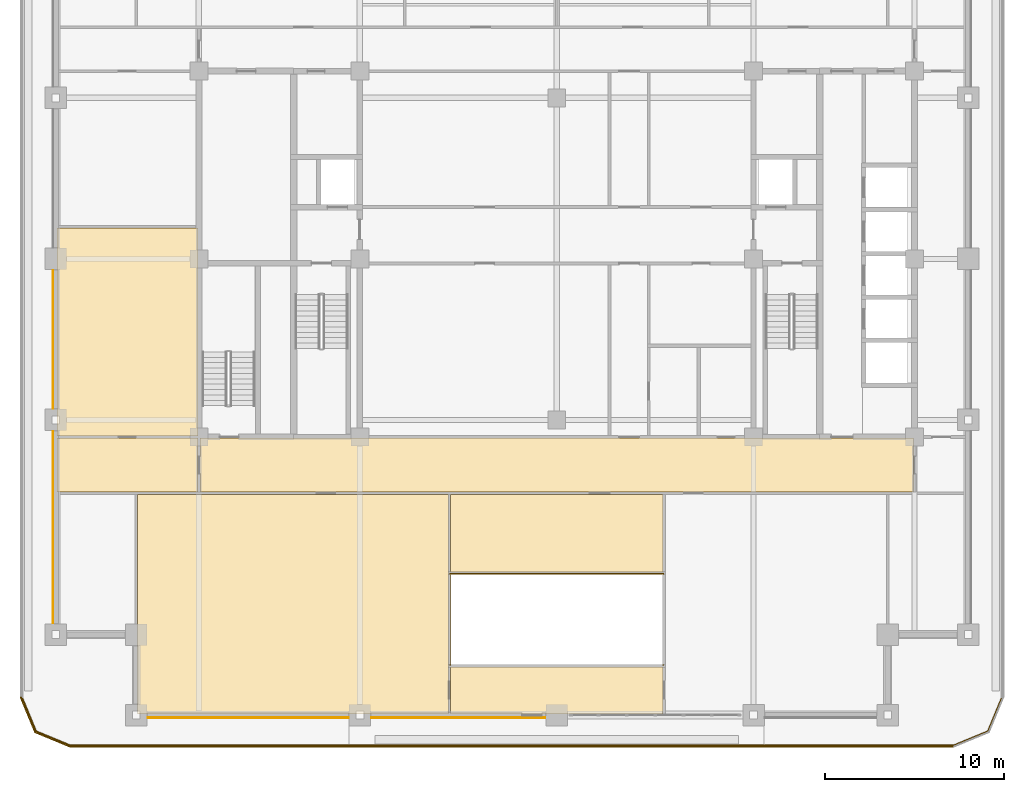
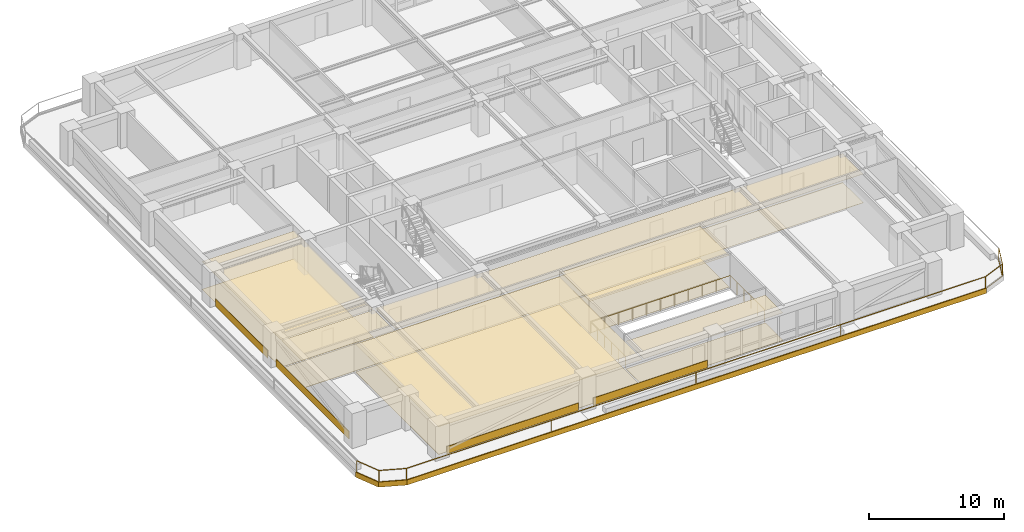
# One storey, part 12 of 17: 19 coverings, 2 railings.
"""IFC4 building model written with IfcOpenShell, lengths in metres."""

from ifc_helpers import new_model, si_unit, direction, frame, frame_2d, origin, origin_2d, place, context, subcontext, project, spatial, polyline, rectangle, outline, extrude, material, layer, layer_set, type_object, element, save


model = new_model("IFC4")

# Units and contexts
model_context = context("Model", 3, precision=1e-05, world=origin(), true_north=direction((0.0, 1.0)))
body_context = subcontext(model_context, "Body", "Model", "MODEL_VIEW")
ifc_project = project(units=[si_unit("LENGTHUNIT", "METRE"), si_unit("AREAUNIT", "SQUARE_METRE"), si_unit("VOLUMEUNIT", "CUBIC_METRE"), si_unit("PLANEANGLEUNIT", "RADIAN"), si_unit("MASSUNIT", "GRAM", prefix="KILO")], contexts=[model_context])

# Site, building, storey
site_placement = place(None, origin())
site = spatial("IfcSite", under=ifc_project, at=site_placement, CompositionType="ELEMENT")
building_placement = place(site_placement, origin())
building = spatial("IfcBuilding", under=site, at=building_placement, Name="Zulmaris Gate Convention Tower", CompositionType="ELEMENT")
storey_placement = place(building_placement, frame((0.0, 0.0, 149.909912109375)))
storey = spatial("IfcBuildingStorey", under=building, at=storey_placement, Name="L38", CompositionType="ELEMENT", Elevation=149.909912109375)

# Coverings
ifc_material_1 = material(Name="Precast concrete C40/50", Category="concrete")
ifc_layer_1 = layer(ifc_material_1, 0.0400390625, Name="Precast concrete C40/50")
ifc_layer_set_1 = layer_set([ifc_layer_1], Name="Precast concrete C40/50")
covering_type_1 = type_object("IfcCoveringType", Name="CLAD-SPANDREL-PRECAST", PredefinedType="CLADDING", material=ifc_layer_set_1)
covering_1_placement = place(storey_placement, frame((-22.8701171875, -25.64990234375, 0.0), z_axis=(0.0, 0.0, 1.0), x_axis=(1.0, 0.0, 0.0)))
element("IfcCovering", 1, at=covering_1_placement, inside=storey, type_object=covering_type_1, Name="CLD-L38-S-0_0", PredefinedType="CLADDING", context=body_context, shape_type="SweptSolid", body=[
    extrude(rectangle(XDim=11.240234375, YDim=0.0400390625, at=frame_2d((5.6201171875, 0.0))), origin(), (0.0, 0.0, 1.0), 0.679931640625),
])
covering_2_placement = place(storey_placement, frame((-10.3701171875, -25.64990234375, 0.0), z_axis=(0.0, 0.0, 1.0), x_axis=(1.0, 0.0, 0.0)))
element("IfcCovering", 2, at=covering_2_placement, inside=storey, type_object=covering_type_1, Name="CLD-L38-S-1_0", PredefinedType="CLADDING", context=body_context, shape_type="SweptSolid", body=[
    extrude(rectangle(XDim=9.740234375, YDim=0.0400390625, at=frame_2d((4.8701171875, 0.0))), origin(), (0.0, 0.0, 1.0), 0.679931640625),
])
covering_3_placement = place(storey_placement, frame((-28.14990234375, -9.6298828125, 0.0), z_axis=(0.0, 0.0, 1.0), x_axis=(0.0, -1.0, 0.0)))
element("IfcCovering", 3, at=covering_3_placement, inside=storey, type_object=covering_type_1, Name="CLD-L38-W-0_0", PredefinedType="CLADDING", context=body_context, shape_type="SweptSolid", body=[
    extrude(rectangle(XDim=10.740234375, YDim=0.0400390625, at=frame_2d((5.3701171875, 0.0))), origin(), (0.0, 0.0, 1.0), 0.679931640625),
])
covering_4_placement = place(storey_placement, frame((-28.14990234375, -0.6298828125, 0.0), z_axis=(0.0, 0.0, 1.0), x_axis=(0.0, -1.0, 0.0)))
element("IfcCovering", 4, at=covering_4_placement, inside=storey, type_object=covering_type_1, Name="CLD-L38-W-1_0", PredefinedType="CLADDING", context=body_context, shape_type="SweptSolid", body=[
    extrude(rectangle(XDim=7.740234375, YDim=0.0400390625, at=frame_2d((3.8701171875, 0.0))), origin(), (0.0, 0.0, 1.0), 0.679931640625),
])
ifc_material_2 = material(Name="White Glazed Architectural Precast Concrete C40/50", Category="concrete")
ifc_layer_2 = layer(ifc_material_2, 0.080078125, Name="White Glazed Architectural Precast Concrete C40/50")
ifc_layer_set_2 = layer_set([ifc_layer_2], Name="White Glazed Architectural Precast Concrete C40/50")
covering_type_2 = type_object("IfcCoveringType", Name="CLAD-TRAY-FASCIA", PredefinedType="CLADDING", material=ifc_layer_set_2)
covering_5_placement = place(storey_placement, frame((-29.962890625, -24.484619140625, -0.2900390625), z_axis=(0.0, 0.0, 1.0), x_axis=(0.382656984709, -0.923890487046, 0.0)))
element("IfcCovering", 5, at=covering_5_placement, inside=storey, type_object=covering_type_2, Name="FSC-L38-TR-00", PredefinedType="CLADDING", context=body_context, shape_type="SweptSolid", body=[
    extrude(rectangle(XDim=2.14306640625, YDim=0.080078125, at=frame_2d((1.071533203125, 0.0))), origin(), (0.0, 0.0, 1.0), 0.4599609375),
])
covering_6_placement = place(storey_placement, frame((-29.16455078125, -26.44287109375, -0.2900390625), z_axis=(0.0, 0.0, 1.0), x_axis=(0.923873803533, -0.382697263049, 0.0)))
element("IfcCovering", 6, at=covering_6_placement, inside=storey, type_object=covering_type_2, Name="FSC-L38-TR-01", PredefinedType="CLADDING", context=body_context, shape_type="SweptSolid", body=[
    extrude(rectangle(XDim=2.142822265625, YDim=0.080078125, at=frame_2d((1.0712890625, 0.0))), origin(), (0.0, 0.0, 1.0), 0.4599609375),
])
covering_7_placement = place(storey_placement, frame((-27.199951171875, -27.260009765625, -0.2900390625), z_axis=(0.0, 0.0, 1.0), x_axis=(1.0, 0.0, 0.0)))
element("IfcCovering", 7, at=covering_7_placement, inside=storey, type_object=covering_type_2, Name="FSC-L38-TR-02", PredefinedType="CLADDING", context=body_context, shape_type="SweptSolid", body=[
    extrude(rectangle(XDim=49.39990234375, YDim=0.080078125, at=frame_2d((24.699951171875, 0.0))), origin(), (0.0, 0.0, 1.0), 0.4599609375),
])
ifc_material_3 = material(Name="Mineral Fibre Acoustic Ceiling Tile")
ifc_layer_3 = layer(ifc_material_3, 0.02001953125, Name="Mineral Fibre Acoustic Ceiling Tile")
ifc_layer_set_3 = layer_set([ifc_layer_3], Name="Mineral Fibre Acoustic Ceiling Tile")
covering_type_3 = type_object("IfcCoveringType", Name="CLG-ACOUSTIC-600", PredefinedType="CEILING", material=ifc_layer_set_3)
covering_8_placement = place(storey_placement, frame((0.0, 0.0, 2.60302734375)))
element("IfcCovering", 8, at=covering_8_placement, inside=storey, type_object=covering_type_3, Name="CLG-L38-R26", PredefinedType="CEILING", context=body_context, shape_type="SweptSolid", body=[
    extrude(outline(polyline([(-19.93994140625, -13.0400390625), (19.93994140625, -13.0400390625), (19.93994140625, -10.010009765625), (-19.93994140625, -10.010009765625), (-19.93994140625, -13.0400390625)])), origin(), (0.0, 0.0, 1.0), 0.02001953125),
])
covering_9_placement = place(storey_placement, frame((0.0, 0.0, 2.505126953125)))
element("IfcCovering", 9, at=covering_9_placement, inside=storey, type_object=covering_type_3, Name="CLG-L38-R34", PredefinedType="CEILING", context=body_context, shape_type="SweptSolid", body=[
    extrude(outline(polyline([(-5.93994140625, -25.43994140625), (5.93994140625, -25.43994140625), (5.93994140625, -22.81005859375), (-5.93994140625, -22.81005859375), (-5.93994140625, -25.43994140625)])), origin(), (0.0, 0.0, 1.0), 0.02001953125),
])
covering_10_placement = place(storey_placement, frame((0.0, 0.0, 2.864990234375)))
element("IfcCovering", 10, at=covering_10_placement, inside=storey, type_object=covering_type_3, Name="CLG-L38-R35", PredefinedType="CEILING", context=body_context, shape_type="SweptSolid", body=[
    extrude(outline(polyline([(-5.93994140625, -17.489990234375), (5.93994140625, -17.489990234375), (5.93994140625, -13.159912109375), (-5.93994140625, -13.159912109375), (-5.93994140625, -17.489990234375)])), origin(), (0.0, 0.0, 1.0), 0.02001953125),
])
covering_11_placement = place(storey_placement, frame((0.0, 0.0, 2.505126953125)))
element("IfcCovering", 11, at=covering_11_placement, inside=storey, type_object=covering_type_3, Name="CLG-L38-R36", PredefinedType="CEILING", context=body_context, shape_type="SweptSolid", body=[
    extrude(outline(polyline([(-23.43994140625, -25.43994140625), (-6.06005859375, -25.43994140625), (-6.06005859375, -13.159912109375), (-23.43994140625, -13.159912109375), (-23.43994140625, -25.43994140625)])), origin(), (0.0, 0.0, 1.0), 0.02001953125),
])
covering_12_placement = place(storey_placement, frame((0.0, 0.0, 2.505126953125)))
element("IfcCovering", 12, at=covering_12_placement, inside=storey, type_object=covering_type_3, Name="CLG-L38-R45", PredefinedType="CEILING", context=body_context, shape_type="SweptSolid", body=[
    extrude(outline(polyline([(-27.93994140625, -13.0400390625), (-20.06005859375, -13.0400390625), (-20.06005859375, -10.010009765625), (-27.93994140625, -10.010009765625), (-27.93994140625, -13.0400390625)])), origin(), (0.0, 0.0, 1.0), 0.02001953125),
])
covering_13_placement = place(storey_placement, frame((0.0, 0.0, 2.505126953125)))
element("IfcCovering", 13, at=covering_13_placement, inside=storey, type_object=covering_type_3, Name="CLG-L38-R47", PredefinedType="CEILING", context=body_context, shape_type="SweptSolid", body=[
    extrude(outline(polyline([(-27.93994140625, -9.889892578125), (-20.06005859375, -9.889892578125), (-20.06005859375, 1.739990234375), (-27.93994140625, 1.739990234375), (-27.93994140625, -9.889892578125)])), origin(), (0.0, 0.0, 1.0), 0.02001953125),
])
ifc_material_4 = material(Name="Woven Acoustic Wool Carpet Tile")
ifc_layer_4 = layer(ifc_material_4, 0.02001953125, Name="Woven Acoustic Wool Carpet Tile")
ifc_layer_set_4 = layer_set([ifc_layer_4], Name="Woven Acoustic Wool Carpet Tile")
covering_type_4 = type_object("IfcCoveringType", Name="FLR-CARPET-12", PredefinedType="FLOORING", material=ifc_layer_set_4)
covering_14_placement = place(storey_placement, origin())
element("IfcCovering", 14, at=covering_14_placement, inside=storey, type_object=covering_type_4, Name="FLR-L38-R26", PredefinedType="FLOORING", context=body_context, shape_type="SweptSolid", body=[
    extrude(outline(polyline([(-19.93994140625, -13.0400390625), (19.93994140625, -13.0400390625), (19.93994140625, -10.010009765625), (-19.93994140625, -10.010009765625), (-19.93994140625, -13.0400390625)])), origin(), (0.0, 0.0, 1.0), 0.02001953125),
])
covering_15_placement = place(storey_placement, origin())
element("IfcCovering", 15, at=covering_15_placement, inside=storey, type_object=covering_type_4, Name="FLR-L38-R36", PredefinedType="FLOORING", context=body_context, shape_type="SweptSolid", body=[
    extrude(outline(polyline([(-23.43994140625, -25.43994140625), (-6.06005859375, -25.43994140625), (-6.06005859375, -13.159912109375), (-23.43994140625, -13.159912109375), (-23.43994140625, -25.43994140625)])), origin(), (0.0, 0.0, 1.0), 0.02001953125),
])
covering_16_placement = place(storey_placement, origin())
element("IfcCovering", 16, at=covering_16_placement, inside=storey, type_object=covering_type_4, Name="FLR-L38-R45", PredefinedType="FLOORING", context=body_context, shape_type="SweptSolid", body=[
    extrude(outline(polyline([(-27.93994140625, -13.0400390625), (-20.06005859375, -13.0400390625), (-20.06005859375, -10.010009765625), (-27.93994140625, -10.010009765625), (-27.93994140625, -13.0400390625)])), origin(), (0.0, 0.0, 1.0), 0.02001953125),
])
covering_17_placement = place(storey_placement, origin())
element("IfcCovering", 17, at=covering_17_placement, inside=storey, type_object=covering_type_4, Name="FLR-L38-R47", PredefinedType="FLOORING", context=body_context, shape_type="SweptSolid", body=[
    extrude(outline(polyline([(-27.93994140625, -9.889892578125), (-20.06005859375, -9.889892578125), (-20.06005859375, 1.739990234375), (-27.93994140625, 1.739990234375), (-27.93994140625, -9.889892578125)])), origin(), (0.0, 0.0, 1.0), 0.02001953125),
])
ifc_material_5 = material(Name="Engineered Teak Parquet Flooring")
ifc_layer_5 = layer(ifc_material_5, 0.02001953125, Name="Engineered Teak Parquet Flooring")
ifc_layer_set_5 = layer_set([ifc_layer_5], Name="Engineered Teak Parquet Flooring")
covering_type_5 = type_object("IfcCoveringType", Name="FLR-TIMBER-18", PredefinedType="FLOORING", material=ifc_layer_set_5)
covering_18_placement = place(storey_placement, origin())
element("IfcCovering", 18, at=covering_18_placement, inside=storey, type_object=covering_type_5, Name="FLR-L38-R34", PredefinedType="FLOORING", context=body_context, shape_type="SweptSolid", body=[
    extrude(outline(polyline([(-5.93994140625, -25.43994140625), (5.93994140625, -25.43994140625), (5.93994140625, -22.81005859375), (-5.93994140625, -22.81005859375), (-5.93994140625, -25.43994140625)])), origin(), (0.0, 0.0, 1.0), 0.02001953125),
])
covering_19_placement = place(storey_placement, origin())
element("IfcCovering", 19, at=covering_19_placement, inside=storey, type_object=covering_type_5, Name="FLR-L38-R35", PredefinedType="FLOORING", context=body_context, shape_type="SweptSolid", body=[
    extrude(outline(polyline([(-5.93994140625, -17.489990234375), (5.93994140625, -17.489990234375), (5.93994140625, -13.159912109375), (-5.93994140625, -13.159912109375), (-5.93994140625, -17.489990234375)])), origin(), (0.0, 0.0, 1.0), 0.02001953125),
])

# Railings
ifc_material_6 = material(Name="Laminated Glass and Stainless Steel", Category="steel")
railing_type_1 = type_object("IfcRailingType", Name="RL-BALC-1150", PredefinedType="BALUSTRADE", material=ifc_material_6)
railing_1_placement = place(storey_placement, frame((-29.8798828125, -24.5, 0.010009765625)))
element("IfcRailing", 20, at=railing_1_placement, inside=storey, type_object=railing_type_1, Name="RL-L38-BALC-S", PredefinedType="BALUSTRADE", context=body_context, shape_type="SweptSolid", body=[
    extrude(rectangle(XDim=0.048095703125, YDim=0.048095703125, at=origin_2d()), frame((0.0, 0.0, 1.1259765625), z_axis=(0.382670664694, -0.92388482095, 0.0), x_axis=(0.92388482095, 0.382670664694, 0.0)), (0.0, 0.0, 1.0), 2.051025390625),
    extrude(rectangle(XDim=0.048095703125, YDim=0.048095703125, at=origin_2d()), frame((0.0, 0.0, 0.02392578125), z_axis=(0.382670664694, -0.92388482095, 0.0), x_axis=(0.92388482095, 0.382670664694, 0.0)), (0.0, 0.0, 1.0), 2.051025390625),
    extrude(rectangle(XDim=0.048095703125, YDim=0.048095703125, at=origin_2d()), frame((0.784912109375, -1.89501953125, 1.1259765625), z_axis=(0.92388482095, -0.382670664694, 0.0), x_axis=(0.382670664694, 0.92388482095, 0.0)), (0.0, 0.0, 1.0), 2.051025390625),
    extrude(rectangle(XDim=0.048095703125, YDim=0.048095703125, at=origin_2d()), frame((0.784912109375, -1.89501953125, 0.02392578125), z_axis=(0.92388482095, -0.382670664694, 0.0), x_axis=(0.382670664694, 0.92388482095, 0.0)), (0.0, 0.0, 1.0), 2.051025390625),
    extrude(rectangle(XDim=0.048095703125, YDim=0.048095703125, at=origin_2d()), frame((2.679931640625, -2.679931640625, 1.1259765625), z_axis=(1.0, 0.0, 0.0), x_axis=(0.0, 1.0, 0.0)), (0.0, 0.0, 1.0), 49.39990234375),
    extrude(rectangle(XDim=0.048095703125, YDim=0.048095703125, at=origin_2d()), frame((2.679931640625, -2.679931640625, 0.02392578125), z_axis=(1.0, 0.0, 0.0), x_axis=(0.0, 1.0, 0.0)), (0.0, 0.0, 1.0), 49.39990234375),
    extrude(rectangle(XDim=0.048095703125, YDim=0.048095703125, at=origin_2d()), frame((52.079833984375, -2.679931640625, 1.1259765625), z_axis=(0.92388482095, 0.382670664694, 0.0), x_axis=(-0.382670664694, 0.92388482095, 0.0)), (0.0, 0.0, 1.0), 2.051025390625),
    extrude(rectangle(XDim=0.048095703125, YDim=0.048095703125, at=origin_2d()), frame((52.079833984375, -2.679931640625, 0.02392578125), z_axis=(0.92388482095, 0.382670664694, 0.0), x_axis=(-0.382670664694, 0.92388482095, 0.0)), (0.0, 0.0, 1.0), 2.051025390625),
    extrude(rectangle(XDim=0.048095703125, YDim=0.048095703125, at=origin_2d()), frame((53.974853515625, -1.89501953125, 1.1259765625), z_axis=(0.382670664694, 0.92388482095, 0.0), x_axis=(-0.92388482095, 0.382670664694, 0.0)), (0.0, 0.0, 1.0), 2.051025390625),
    extrude(rectangle(XDim=0.048095703125, YDim=0.048095703125, at=origin_2d()), frame((53.974853515625, -1.89501953125, 0.02392578125), z_axis=(0.382670664694, 0.92388482095, 0.0), x_axis=(-0.92388482095, 0.382670664694, 0.0)), (0.0, 0.0, 1.0), 2.051025390625),
    extrude(rectangle(XDim=0.0419921875, YDim=0.0419921875, at=origin_2d()), origin(), (0.0, 0.0, 1.0), 1.101806640625),
    extrude(rectangle(XDim=0.0419921875, YDim=0.0419921875, at=origin_2d()), frame((0.784912109375, -1.89501953125, 0.0)), (0.0, 0.0, 1.0), 1.101806640625),
    extrude(rectangle(XDim=0.0419921875, YDim=0.0419921875, at=origin_2d()), frame((2.679931640625, -2.679931640625, 0.0)), (0.0, 0.0, 1.0), 1.101806640625),
    extrude(rectangle(XDim=0.0419921875, YDim=0.0419921875, at=origin_2d()), frame((15.02978515625, -2.679931640625, 0.0)), (0.0, 0.0, 1.0), 1.101806640625),
    extrude(rectangle(XDim=0.0419921875, YDim=0.0419921875, at=origin_2d()), frame((27.3798828125, -2.679931640625, 0.0)), (0.0, 0.0, 1.0), 1.101806640625),
    extrude(rectangle(XDim=0.0419921875, YDim=0.0419921875, at=origin_2d()), frame((39.72998046875, -2.679931640625, 0.0)), (0.0, 0.0, 1.0), 1.101806640625),
    extrude(rectangle(XDim=0.0419921875, YDim=0.0419921875, at=origin_2d()), frame((52.079833984375, -2.679931640625, 0.0)), (0.0, 0.0, 1.0), 1.101806640625),
    extrude(rectangle(XDim=0.0419921875, YDim=0.0419921875, at=origin_2d()), frame((53.974853515625, -1.89501953125, 0.0)), (0.0, 0.0, 1.0), 1.101806640625),
    extrude(rectangle(XDim=0.0419921875, YDim=0.0419921875, at=origin_2d()), frame((54.759765625, 0.0, 0.0)), (0.0, 0.0, 1.0), 1.101806640625),
])
ifc_material_7 = material(Name="Painted Galvanised Steel", Category="steel")
railing_type_2 = type_object("IfcRailingType", Name="RL-GUARD-1150", PredefinedType="GUARDRAIL", material=ifc_material_7)
railing_2_placement = place(storey_placement, frame((-5.949951171875, -22.699951171875, 0.0)))
element("IfcRailing", 21, at=railing_2_placement, inside=storey, type_object=railing_type_2, Name="RL-L38-SKYGARDEN-VOID", PredefinedType="GUARDRAIL", context=body_context, shape_type="SweptSolid", body=[
    extrude(rectangle(XDim=0.048095703125, YDim=0.048095703125, at=origin_2d()), frame((0.0, 0.0, 1.1259765625), z_axis=(0.0, 1.0, 0.0), x_axis=(-1.0, 0.0, 0.0)), (0.0, 0.0, 1.0), 5.099853515625),
    extrude(rectangle(XDim=0.048095703125, YDim=0.048095703125, at=origin_2d()), frame((0.0, 5.099853515625, 1.1259765625), z_axis=(1.0, 0.0, 0.0), x_axis=(0.0, 1.0, 0.0)), (0.0, 0.0, 1.0), 11.89990234375),
    extrude(rectangle(XDim=0.048095703125, YDim=0.048095703125, at=origin_2d()), frame((11.89990234375, 5.099853515625, 1.1259765625), z_axis=(0.0, -1.0, 0.0), x_axis=(1.0, 0.0, 0.0)), (0.0, 0.0, 1.0), 5.099853515625),
    extrude(rectangle(XDim=0.0419921875, YDim=0.0419921875, at=origin_2d()), origin(), (0.0, 0.0, 1.0), 1.101806640625),
    extrude(rectangle(XDim=0.0419921875, YDim=0.0419921875, at=origin_2d()), frame((0.0, 1.02001953125, 0.0)), (0.0, 0.0, 1.0), 1.101806640625),
    extrude(rectangle(XDim=0.0419921875, YDim=0.0419921875, at=origin_2d()), frame((0.0, 2.0400390625, 0.0)), (0.0, 0.0, 1.0), 1.101806640625),
    extrude(rectangle(XDim=0.0419921875, YDim=0.0419921875, at=origin_2d()), frame((0.0, 3.059814453125, 0.0)), (0.0, 0.0, 1.0), 1.101806640625),
    extrude(rectangle(XDim=0.0419921875, YDim=0.0419921875, at=origin_2d()), frame((0.0, 4.079833984375, 0.0)), (0.0, 0.0, 1.0), 1.101806640625),
    extrude(rectangle(XDim=0.0419921875, YDim=0.0419921875, at=origin_2d()), frame((0.0, 5.099853515625, 0.0)), (0.0, 0.0, 1.0), 1.101806640625),
    extrude(rectangle(XDim=0.0419921875, YDim=0.0419921875, at=origin_2d()), frame((1.18994140625, 5.099853515625, 0.0)), (0.0, 0.0, 1.0), 1.101806640625),
    extrude(rectangle(XDim=0.0419921875, YDim=0.0419921875, at=origin_2d()), frame((2.3798828125, 5.099853515625, 0.0)), (0.0, 0.0, 1.0), 1.101806640625),
    extrude(rectangle(XDim=0.0419921875, YDim=0.0419921875, at=origin_2d()), frame((3.570068359375, 5.099853515625, 0.0)), (0.0, 0.0, 1.0), 1.101806640625),
    extrude(rectangle(XDim=0.0419921875, YDim=0.0419921875, at=origin_2d()), frame((4.760009765625, 5.099853515625, 0.0)), (0.0, 0.0, 1.0), 1.101806640625),
    extrude(rectangle(XDim=0.0419921875, YDim=0.0419921875, at=origin_2d()), frame((5.949951171875, 5.099853515625, 0.0)), (0.0, 0.0, 1.0), 1.101806640625),
    extrude(rectangle(XDim=0.0419921875, YDim=0.0419921875, at=origin_2d()), frame((7.139892578125, 5.099853515625, 0.0)), (0.0, 0.0, 1.0), 1.101806640625),
    extrude(rectangle(XDim=0.0419921875, YDim=0.0419921875, at=origin_2d()), frame((8.329833984375, 5.099853515625, 0.0)), (0.0, 0.0, 1.0), 1.101806640625),
    extrude(rectangle(XDim=0.0419921875, YDim=0.0419921875, at=origin_2d()), frame((9.52001953125, 5.099853515625, 0.0)), (0.0, 0.0, 1.0), 1.101806640625),
    extrude(rectangle(XDim=0.0419921875, YDim=0.0419921875, at=origin_2d()), frame((10.7099609375, 5.099853515625, 0.0)), (0.0, 0.0, 1.0), 1.101806640625),
    extrude(rectangle(XDim=0.0419921875, YDim=0.0419921875, at=origin_2d()), frame((11.89990234375, 5.099853515625, 0.0)), (0.0, 0.0, 1.0), 1.101806640625),
    extrude(rectangle(XDim=0.0419921875, YDim=0.0419921875, at=origin_2d()), frame((11.89990234375, 4.079833984375, 0.0)), (0.0, 0.0, 1.0), 1.101806640625),
    extrude(rectangle(XDim=0.0419921875, YDim=0.0419921875, at=origin_2d()), frame((11.89990234375, 3.059814453125, 0.0)), (0.0, 0.0, 1.0), 1.101806640625),
    extrude(rectangle(XDim=0.0419921875, YDim=0.0419921875, at=origin_2d()), frame((11.89990234375, 2.0400390625, 0.0)), (0.0, 0.0, 1.0), 1.101806640625),
    extrude(rectangle(XDim=0.0419921875, YDim=0.0419921875, at=origin_2d()), frame((11.89990234375, 1.02001953125, 0.0)), (0.0, 0.0, 1.0), 1.101806640625),
    extrude(rectangle(XDim=0.0419921875, YDim=0.0419921875, at=origin_2d()), frame((11.89990234375, 0.0, 0.0)), (0.0, 0.0, 1.0), 1.101806640625),
])

save(model, "model.ifc")
